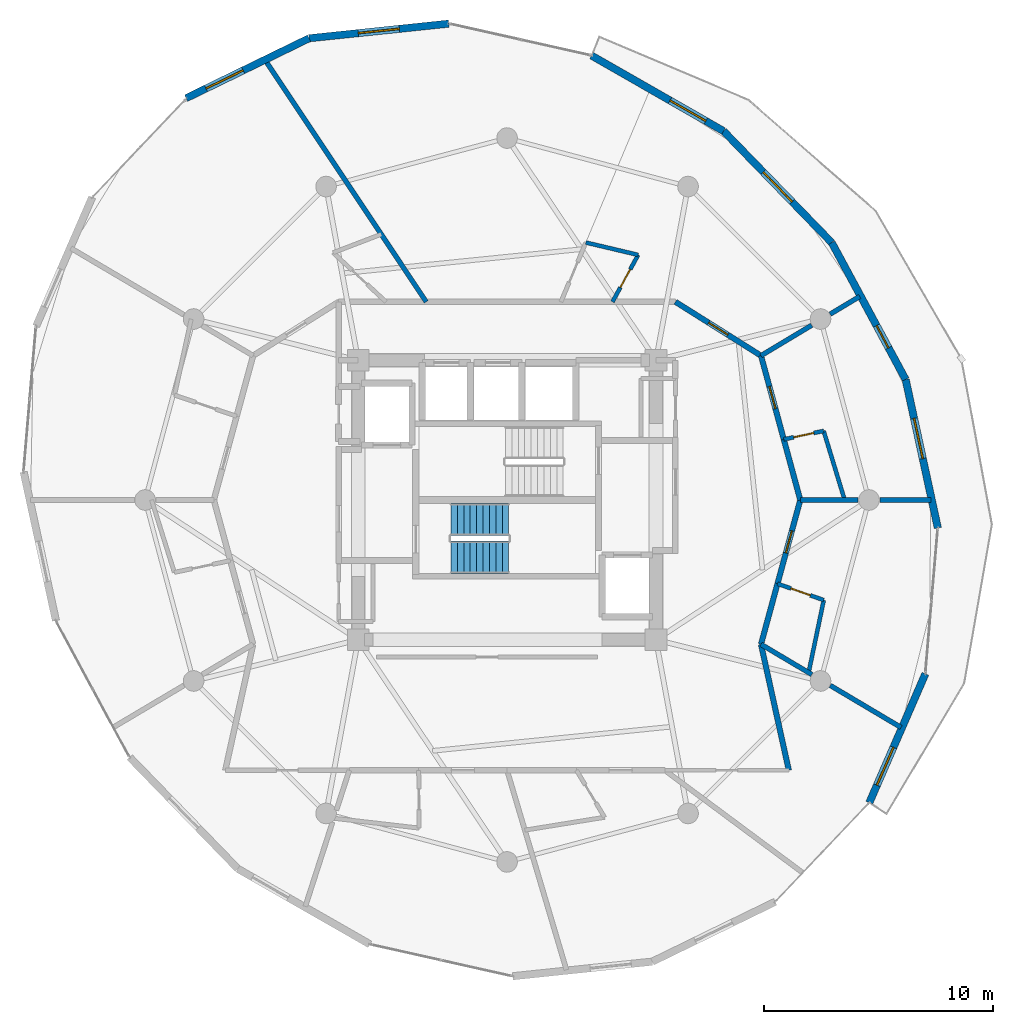
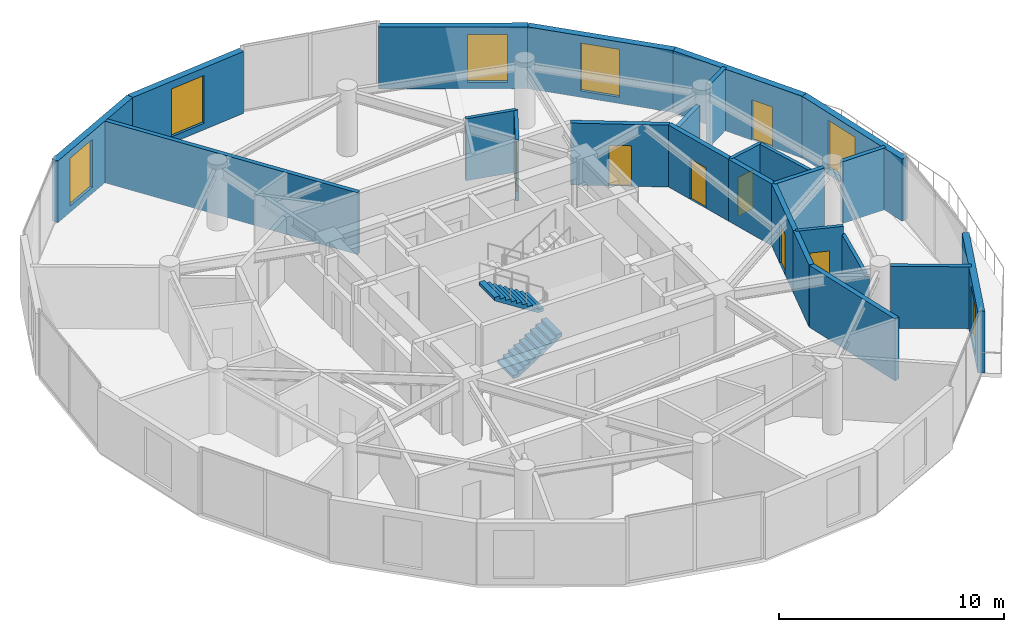
# One storey, part 20 of 23: 26 walls, 7 doors, 6 windows, 2 stair flights, 13 openings, 1 element without a shape of its own.
"""IFC4 building model written with IfcOpenShell, lengths in metres."""

from ifc_helpers import new_model, si_unit, direction, frame, frame_2d, origin, place, context, subcontext, project, spatial, polyline, rectangle, outline, extrude, material, layer, layer_set, type_object, element, fill, aggregate, save


model = new_model("IFC4")

# Units and contexts
model_context = context("Model", 3, precision=1e-05, world=origin(), true_north=direction((0.0, 1.0)))
body_context = subcontext(model_context, "Body", "Model", "MODEL_VIEW")
ifc_project = project(units=[si_unit("LENGTHUNIT", "METRE"), si_unit("AREAUNIT", "SQUARE_METRE"), si_unit("VOLUMEUNIT", "CUBIC_METRE"), si_unit("PLANEANGLEUNIT", "RADIAN"), si_unit("MASSUNIT", "GRAM", prefix="KILO")], contexts=[model_context])

# Site, building, storey
site_placement = place(None, origin())
site = spatial("IfcSite", under=ifc_project, at=site_placement, CompositionType="ELEMENT")
building_placement = place(site_placement, origin())
building = spatial("IfcBuilding", under=site, at=building_placement, Name="Solvirekh Grand Hotel", CompositionType="ELEMENT")
storey_placement = place(building_placement, frame((0.0, 0.0, 180.39990234375)))
storey = spatial("IfcBuildingStorey", under=building, at=storey_placement, Name="L46", CompositionType="ELEMENT", Elevation=180.39990234375)

# Wall, opening, window
ifc_material_1 = material(Name="Precast concrete C45/55", Category="concrete")
ifc_layer_1 = layer(ifc_material_1, 0.320068359375)
ifc_layer_set_1 = layer_set([ifc_layer_1], Name="Precast concrete C45/55")
wall_type_1 = type_object("IfcWallType", Name="ExtLobbyWall_RC320", PredefinedType="SOLIDWALL", material=ifc_layer_set_1)
wall_1_placement = place(storey_placement, frame((18.260009765625, -7.590087890625, 0.0), z_axis=(0.0, 0.0, 1.0), x_axis=(-0.398911001453, -0.916989647117, 0.0)))
wall_1 = element("IfcWall", 1, at=wall_1_placement, inside=storey, type_object=wall_type_1, Name="L46 exterior structural wall chord 2", PredefinedType="SOLIDWALL", context=body_context, shape_type="SweptSolid", body=[
    extrude(rectangle(XDim=6.1318359375, YDim=0.320068359375, at=frame_2d((3.06591796875, 0.0))), origin(), (0.0, 0.0, 1.0), 3.360107421875),
])
opening_1_placement = place(wall_1_placement, frame((3.5, 0.0, 0.35009765625)))
opening_1 = element("IfcOpeningElement", 2, at=opening_1_placement, cuts=wall_1, Name="Opening W02", PredefinedType="OPENING", context=body_context, shape_type="SweptSolid", body=[
    extrude(rectangle(XDim=1.800048828125, YDim=2.60009765625, at=frame_2d((0.89990234375, 1.300048828125))), frame((0.0, 0.169921875, 0.0), z_axis=(0.0, -1.0, 0.0), x_axis=(1.0, 0.0, 0.0)), (0.0, 0.0, 1.0), 0.340087890625),
])
ifc_material_2 = material(Name="Low-E Tinted Bronze Laminated Glass", Category="aluminium")
window_type = type_object("IfcWindowType", Name="Win_LobbyExt_1800X2600", PartitioningType="SINGLE_PANEL", PredefinedType="WINDOW", material=ifc_material_2)
window_1_placement = place(opening_1_placement, origin())
window_1 = element("IfcWindow", 3, at=window_1_placement, inside=storey, type_object=window_type, Name="L46 panoramic bronze-framed window 2", OverallHeight=2.60009765625, OverallWidth=1.800048828125, PartitioningType="SINGLE_PANEL", PredefinedType="WINDOW", context=body_context, shape_type="SweptSolid", body=[
    extrude(rectangle(XDim=1.800048828125, YDim=2.60009765625, at=frame_2d((0.89990234375, 1.300048828125))), frame((0.0, 0.030029296875, 0.0), z_axis=(0.0, -1.0, 0.0), x_axis=(1.0, 0.0, 0.0)), (0.0, 0.0, 1.0), 0.06005859375),
])
fill(opening_1, window_1)

wall_2_placement = place(storey_placement, frame((17.39794921875, 5.261962890625, 0.0), z_axis=(0.0, 0.0, 1.0), x_axis=(0.211992849193, -0.977271217161, 0.0)))
wall_2 = element("IfcWall", 4, at=wall_2_placement, inside=storey, type_object=wall_type_1, Name="L46 exterior structural wall chord 4", PredefinedType="SOLIDWALL", context=body_context, shape_type="SweptSolid", body=[
    extrude(rectangle(XDim=6.636962890625, YDim=0.320068359375, at=frame_2d((3.318359375, 0.0))), origin(), (0.0, 0.0, 1.0), 3.360107421875),
])
opening_2_placement = place(wall_2_placement, frame((1.738037109375, 0.0, 0.35009765625)))
opening_2 = element("IfcOpeningElement", 5, at=opening_2_placement, cuts=wall_2, Name="Opening W02", PredefinedType="OPENING", context=body_context, shape_type="SweptSolid", body=[
    extrude(rectangle(XDim=1.800048828125, YDim=2.60009765625, at=frame_2d((0.89990234375, 1.300048828125))), frame((0.0, 0.169921875, 0.0), z_axis=(0.0, -1.0, 0.0), x_axis=(1.0, 0.0, 0.0)), (0.0, 0.0, 1.0), 0.340087890625),
])
window_2_placement = place(opening_2_placement, origin())
window_2 = element("IfcWindow", 6, at=window_2_placement, inside=storey, type_object=window_type, Name="L46 panoramic bronze-framed window 4", OverallHeight=2.60009765625, OverallWidth=1.800048828125, PartitioningType="SINGLE_PANEL", PredefinedType="WINDOW", context=body_context, shape_type="SweptSolid", body=[
    extrude(rectangle(XDim=1.800048828125, YDim=2.60009765625, at=frame_2d((0.89990234375, 1.300048828125))), frame((0.0, 0.030029296875, 0.0), z_axis=(0.0, -1.0, 0.0), x_axis=(1.0, 0.0, 0.0)), (0.0, 0.0, 1.0), 0.06005859375),
])
fill(opening_2, window_2)

# Wall, opening, door
wall_3_placement = place(storey_placement, frame((14.174072265625, 11.23193359375, 0.0), z_axis=(0.0, 0.0, 1.0), x_axis=(0.475159501302, -0.879899680829, 0.0)))
wall_3 = element("IfcWall", 7, at=wall_3_placement, inside=storey, type_object=wall_type_1, Name="L46 exterior structural wall chord 5", PredefinedType="SOLIDWALL", context=body_context, shape_type="SweptSolid", body=[
    extrude(rectangle(XDim=6.784912109375, YDim=0.320068359375, at=frame_2d((3.392578125, 0.0))), origin(), (0.0, 0.0, 1.0), 3.360107421875),
])
opening_3_placement = place(wall_3_placement, frame((4.114013671875, 0.0, 0.0)))
opening_3 = element("IfcOpeningElement", 8, at=opening_3_placement, cuts=wall_3, Name="Opening D03", PredefinedType="OPENING", context=body_context, shape_type="SweptSolid", body=[
    extrude(rectangle(XDim=1.10009765625, YDim=2.199951171875, at=frame_2d((0.550048828125, 1.10009765625))), frame((0.0, 0.169921875, 0.0), z_axis=(0.0, -1.0, 0.0), x_axis=(1.0, 0.0, 0.0)), (0.0, 0.0, 1.0), 0.340087890625),
])
ifc_material_3 = material(Name="Anodized Bronze Aluminium 6063-T6", Category="aluminium")
door_type_1 = type_object("IfcDoorType", Name="Door_ExtBalcony_1100X2200", OperationType="NOTDEFINED", PredefinedType="DOOR", material=ifc_material_3)
door_1_placement = place(opening_3_placement, origin())
door_1 = element("IfcDoor", 9, at=door_1_placement, inside=storey, type_object=door_type_1, Name="L46 Crescent balcony glazed door (5)", OperationType="SINGLE_SWING_RIGHT", OverallHeight=2.199951171875, OverallWidth=1.10009765625, PredefinedType="DOOR", context=body_context, shape_type="SweptSolid", body=[
    extrude(rectangle(XDim=1.10009765625, YDim=2.199951171875, at=frame_2d((0.550048828125, 1.10009765625))), frame((0.0, 0.02490234375, 0.0), z_axis=(0.0, -1.0, 0.0), x_axis=(1.0, 0.0, 0.0)), (0.0, 0.0, 1.0), 0.050048828125),
])
fill(opening_3, door_1)

# Wall, opening, window
wall_4_placement = place(storey_placement, frame((9.450927734375, 16.10302734375, 0.0), z_axis=(0.0, 0.0, 1.0), x_axis=(0.696119985346, -0.71792545992, 0.0)))
wall_4 = element("IfcWall", 10, at=wall_4_placement, inside=storey, type_object=wall_type_1, Name="L46 exterior structural wall chord 6", PredefinedType="SOLIDWALL", context=body_context, shape_type="SweptSolid", body=[
    extrude(rectangle(XDim=6.784912109375, YDim=0.320068359375, at=frame_2d((3.392578125, 0.0))), origin(), (0.0, 0.0, 1.0), 3.360107421875),
])
opening_4_placement = place(wall_4_placement, frame((2.491943359375, 0.0, 0.35009765625)))
opening_4 = element("IfcOpeningElement", 11, at=opening_4_placement, cuts=wall_4, Name="Opening W02", PredefinedType="OPENING", context=body_context, shape_type="SweptSolid", body=[
    extrude(rectangle(XDim=1.800048828125, YDim=2.60009765625, at=frame_2d((0.89990234375, 1.300048828125))), frame((0.0, 0.169921875, 0.0), z_axis=(0.0, -1.0, 0.0), x_axis=(1.0, 0.0, 0.0)), (0.0, 0.0, 1.0), 0.340087890625),
])
window_3_placement = place(opening_4_placement, origin())
window_3 = element("IfcWindow", 12, at=window_3_placement, inside=storey, type_object=window_type, Name="L46 panoramic bronze-framed window 6", OverallHeight=2.60009765625, OverallWidth=1.800048828125, PartitioningType="SINGLE_PANEL", PredefinedType="WINDOW", context=body_context, shape_type="SweptSolid", body=[
    extrude(rectangle(XDim=1.800048828125, YDim=2.60009765625, at=frame_2d((0.89990234375, 1.300048828125))), frame((0.0, 0.030029296875, 0.0), z_axis=(0.0, -1.0, 0.0), x_axis=(1.0, 0.0, 0.0)), (0.0, 0.0, 1.0), 0.06005859375),
])
fill(opening_4, window_3)

wall_5_placement = place(storey_placement, frame((3.68994140625, 19.39794921875, 0.0), z_axis=(0.0, 0.0, 1.0), x_axis=(0.868052920032, -0.496471678974, 0.0)))
wall_5 = element("IfcWall", 13, at=wall_5_placement, inside=storey, type_object=wall_type_1, Name="L46 exterior structural wall chord 7", PredefinedType="SOLIDWALL", context=body_context, shape_type="SweptSolid", body=[
    extrude(rectangle(XDim=6.63671875, YDim=0.320068359375, at=frame_2d((3.318359375, 0.0))), origin(), (0.0, 0.0, 1.0), 3.360107421875),
])
opening_5_placement = place(wall_5_placement, frame((3.944091796875, 0.0, 0.35009765625)))
opening_5 = element("IfcOpeningElement", 14, at=opening_5_placement, cuts=wall_5, Name="Opening W02", PredefinedType="OPENING", context=body_context, shape_type="SweptSolid", body=[
    extrude(rectangle(XDim=1.800048828125, YDim=2.60009765625, at=frame_2d((0.89990234375, 1.300048828125))), frame((0.0, 0.169921875, 0.0), z_axis=(0.0, -1.0, 0.0), x_axis=(1.0, 0.0, 0.0)), (0.0, 0.0, 1.0), 0.340087890625),
])
window_4_placement = place(opening_5_placement, origin())
window_4 = element("IfcWindow", 15, at=window_4_placement, inside=storey, type_object=window_type, Name="L46 panoramic bronze-framed window 7", OverallHeight=2.60009765625, OverallWidth=1.800048828125, PartitioningType="SINGLE_PANEL", PredefinedType="WINDOW", context=body_context, shape_type="SweptSolid", body=[
    extrude(rectangle(XDim=1.800048828125, YDim=2.60009765625, at=frame_2d((0.89990234375, 1.300048828125))), frame((0.0, 0.030029296875, 0.0), z_axis=(0.0, -1.0, 0.0), x_axis=(1.0, 0.0, 0.0)), (0.0, 0.0, 1.0), 0.06005859375),
])
fill(opening_5, window_4)

wall_6_placement = place(storey_placement, frame((-8.64306640625, 20.155029296875, 0.0), z_axis=(0.0, 0.0, 1.0), x_axis=(0.994556170884, 0.104201837585, 0.0)))
wall_6 = element("IfcWall", 16, at=wall_6_placement, inside=storey, type_object=wall_type_1, Name="L46 exterior structural wall chord 9", PredefinedType="SOLIDWALL", context=body_context, shape_type="SweptSolid", body=[
    extrude(rectangle(XDim=6.131591796875, YDim=0.320068359375, at=frame_2d((3.06591796875, 0.0))), origin(), (0.0, 0.0, 1.0), 3.360107421875),
])
opening_6_placement = place(wall_6_placement, frame((2.166015625, 0.0, 0.35009765625)))
opening_6 = element("IfcOpeningElement", 17, at=opening_6_placement, cuts=wall_6, Name="Opening W02", PredefinedType="OPENING", context=body_context, shape_type="SweptSolid", body=[
    extrude(rectangle(XDim=1.800048828125, YDim=2.60009765625, at=frame_2d((0.89990234375, 1.300048828125))), frame((0.0, 0.169921875, 0.0), z_axis=(0.0, -1.0, 0.0), x_axis=(1.0, 0.0, 0.0)), (0.0, 0.0, 1.0), 0.340087890625),
])
window_5_placement = place(opening_6_placement, origin())
window_5 = element("IfcWindow", 18, at=window_5_placement, inside=storey, type_object=window_type, Name="L46 panoramic bronze-framed window 9", OverallHeight=2.60009765625, OverallWidth=1.800048828125, PartitioningType="SINGLE_PANEL", PredefinedType="WINDOW", context=body_context, shape_type="SweptSolid", body=[
    extrude(rectangle(XDim=1.800048828125, YDim=2.60009765625, at=frame_2d((0.89990234375, 1.300048828125))), frame((0.0, 0.030029296875, 0.0), z_axis=(0.0, -1.0, 0.0), x_axis=(1.0, 0.0, 0.0)), (0.0, 0.0, 1.0), 0.06005859375),
])
fill(opening_6, window_5)

wall_7_placement = place(storey_placement, frame((-14.008056640625, 17.5419921875, 0.0), z_axis=(0.0, 0.0, 1.0), x_axis=(0.899034471399, 0.437877858811, 0.0)))
wall_7 = element("IfcWall", 19, at=wall_7_placement, inside=storey, type_object=wall_type_1, Name="L46 exterior structural wall chord 10", PredefinedType="SOLIDWALL", context=body_context, shape_type="SweptSolid", body=[
    extrude(rectangle(XDim=5.967529296875, YDim=0.320068359375, at=frame_2d((2.98388671875, 0.0))), origin(), (0.0, 0.0, 1.0), 3.360107421875),
])
opening_7_placement = place(wall_7_placement, frame((0.966064453125, 0.0, 0.35009765625)))
opening_7 = element("IfcOpeningElement", 20, at=opening_7_placement, cuts=wall_7, Name="Opening W02", PredefinedType="OPENING", context=body_context, shape_type="SweptSolid", body=[
    extrude(rectangle(XDim=1.800048828125, YDim=2.60009765625, at=frame_2d((0.89990234375, 1.300048828125))), frame((0.0, 0.169921875, 0.0), z_axis=(0.0, -1.0, 0.0), x_axis=(1.0, 0.0, 0.0)), (0.0, 0.0, 1.0), 0.340087890625),
])
window_6_placement = place(opening_7_placement, origin())
window_6 = element("IfcWindow", 21, at=window_6_placement, inside=storey, type_object=window_type, Name="L46 panoramic bronze-framed window 10", OverallHeight=2.60009765625, OverallWidth=1.800048828125, PartitioningType="SINGLE_PANEL", PredefinedType="WINDOW", context=body_context, shape_type="SweptSolid", body=[
    extrude(rectangle(XDim=1.800048828125, YDim=2.60009765625, at=frame_2d((0.89990234375, 1.300048828125))), frame((0.0, 0.030029296875, 0.0), z_axis=(0.0, -1.0, 0.0), x_axis=(1.0, 0.0, 0.0)), (0.0, 0.0, 1.0), 0.06005859375),
])
fill(opening_7, window_6)

# Wall, opening, door
ifc_material_4 = material(Name="Acoustic Gypsum Partition Assembly")
ifc_layer_2 = layer(ifc_material_4, 0.239990234375)
ifc_layer_set_2 = layer_set([ifc_layer_2], Name="Acoustic Gypsum Partition Assembly")
wall_type_2 = type_object("IfcWallType", Name="Part_Corridor_240", PredefinedType="PARTITIONING", material=ifc_layer_set_2)
wall_8_placement = place(storey_placement, frame((7.35009765625, 8.64990234375, 0.0), z_axis=(0.0, 0.0, 1.0), x_axis=(0.846409267484, -0.532532958526, 0.0)))
wall_8 = element("IfcWall", 22, at=wall_8_placement, inside=storey, type_object=wall_type_2, Name="L46 Deluxe Guestroom 4801 entrance wall", PredefinedType="PARTITIONING", context=body_context, shape_type="SweptSolid", body=[
    extrude(rectangle(XDim=4.41259765625, YDim=0.239990234375, at=frame_2d((2.206298828125, 0.0))), origin(), (0.0, 0.0, 1.0), 3.360107421875),
])
opening_8_placement = place(wall_8_placement, frame((1.7060546875, 0.0, 0.0)))
opening_8 = element("IfcOpeningElement", 23, at=opening_8_placement, cuts=wall_8, Name="Opening D07", PredefinedType="OPENING", context=body_context, shape_type="SweptSolid", body=[
    extrude(rectangle(XDim=1.0, YDim=2.199951171875, at=frame_2d((0.5, 1.10009765625))), frame((0.0, 0.1298828125, 0.0), z_axis=(0.0, -1.0, 0.0), x_axis=(1.0, 0.0, 0.0)), (0.0, 0.0, 1.0), 0.260009765625),
])
ifc_material_5 = material(Name="Fire-Rated Steel Door Assembly", Category="steel")
door_type_2 = type_object("IfcDoorType", Name="Door_GuestEntry_1000X2200", OperationType="NOTDEFINED", PredefinedType="DOOR", material=ifc_material_5)
door_2_placement = place(opening_8_placement, origin())
door_2 = element("IfcDoor", 24, at=door_2_placement, inside=storey, type_object=door_type_2, Name="L46 Deluxe Guestroom 4801 entrance door", OperationType="SINGLE_SWING_RIGHT", OverallHeight=2.199951171875, OverallWidth=1.0, PredefinedType="DOOR", context=body_context, shape_type="SweptSolid", body=[
    extrude(rectangle(XDim=1.0, YDim=2.199951171875, at=frame_2d((0.5, 1.10009765625))), frame((0.0, 0.02490234375, 0.0), z_axis=(0.0, -1.0, 0.0), x_axis=(1.0, 0.0, 0.0)), (0.0, 0.0, 1.0), 0.050048828125),
])
fill(opening_8, door_2)

# Wall
wall_9_placement = place(storey_placement, frame((11.0849609375, -6.300048828125, 0.0), z_axis=(0.0, 0.0, 1.0), x_axis=(0.262552356383, 0.964917747872, 0.0)))
element("IfcWall", 25, at=wall_9_placement, inside=storey, type_object=wall_type_2, Name="L46 En-suite Bathroom 4805 corridor backing wall", PredefinedType="PARTITIONING", context=body_context, shape_type="SweptSolid", body=[
    extrude(rectangle(XDim=2.7421875, YDim=0.239990234375, at=frame_2d((1.37109375, 0.0))), origin(), (0.0, 0.0, 1.0), 3.360107421875),
])

# Wall, opening, door
wall_10_placement = place(storey_placement, frame((11.804931640625, -3.654052734375, 0.0), z_axis=(0.0, 0.0, 1.0), x_axis=(0.262762825819, 0.964860454868, 0.0)))
wall_10 = element("IfcWall", 26, at=wall_10_placement, inside=storey, type_object=wall_type_2, Name="L46 Deluxe Guestroom 4805 entrance wall", PredefinedType="PARTITIONING", context=body_context, shape_type="SweptSolid", body=[
    extrude(rectangle(XDim=3.787109375, YDim=0.239990234375, at=frame_2d((1.8935546875, 0.0))), origin(), (0.0, 0.0, 1.0), 3.360107421875),
])
opening_9_placement = place(wall_10_placement, frame((1.39404296875, 0.0, 0.0)))
opening_9 = element("IfcOpeningElement", 27, at=opening_9_placement, cuts=wall_10, Name="Opening D07", PredefinedType="OPENING", context=body_context, shape_type="SweptSolid", body=[
    extrude(rectangle(XDim=1.0, YDim=2.199951171875, at=frame_2d((0.5, 1.10009765625))), frame((0.0, 0.1298828125, 0.0), z_axis=(0.0, -1.0, 0.0), x_axis=(1.0, 0.0, 0.0)), (0.0, 0.0, 1.0), 0.260009765625),
])
door_3_placement = place(opening_9_placement, origin())
door_3 = element("IfcDoor", 28, at=door_3_placement, inside=storey, type_object=door_type_2, Name="L46 Deluxe Guestroom 4805 entrance door", OperationType="SINGLE_SWING_LEFT", OverallHeight=2.199951171875, OverallWidth=1.0, PredefinedType="DOOR", context=body_context, shape_type="SweptSolid", body=[
    extrude(rectangle(XDim=1.0, YDim=2.199951171875, at=frame_2d((0.5, 1.10009765625))), frame((0.0, 0.02490234375, 0.0), z_axis=(0.0, -1.0, 0.0), x_axis=(1.0, 0.0, 0.0)), (0.0, 0.0, 1.0), 0.050048828125),
])
fill(opening_9, door_3)

# Wall
wall_11_placement = place(storey_placement, frame((12.800048828125, 0.0, 0.0), z_axis=(0.0, 0.0, 1.0), x_axis=(-0.262552356383, 0.964917747872, 0.0)))
element("IfcWall", 29, at=wall_11_placement, inside=storey, type_object=wall_type_2, Name="L46 En-suite Bathroom 4806 corridor backing wall", PredefinedType="PARTITIONING", context=body_context, shape_type="SweptSolid", body=[
    extrude(rectangle(XDim=2.7421875, YDim=0.239990234375, at=frame_2d((1.37109375, 0.0))), origin(), (0.0, 0.0, 1.0), 3.360107421875),
])

# Wall, opening, door
wall_12_placement = place(storey_placement, frame((12.080078125, 2.64599609375, 0.0), z_axis=(0.0, 0.0, 1.0), x_axis=(-0.262762825819, 0.964860454868, 0.0)))
wall_12 = element("IfcWall", 30, at=wall_12_placement, inside=storey, type_object=wall_type_2, Name="L46 Deluxe Guestroom 4806 entrance wall", PredefinedType="PARTITIONING", context=body_context, shape_type="SweptSolid", body=[
    extrude(rectangle(XDim=3.787109375, YDim=0.239990234375, at=frame_2d((1.8935546875, 0.0))), origin(), (0.0, 0.0, 1.0), 3.360107421875),
])
opening_10_placement = place(wall_12_placement, frame((1.39404296875, 0.0, 0.0)))
opening_10 = element("IfcOpeningElement", 31, at=opening_10_placement, cuts=wall_12, Name="Opening D07", PredefinedType="OPENING", context=body_context, shape_type="SweptSolid", body=[
    extrude(rectangle(XDim=1.0, YDim=2.199951171875, at=frame_2d((0.5, 1.10009765625))), frame((0.0, 0.1298828125, 0.0), z_axis=(0.0, -1.0, 0.0), x_axis=(1.0, 0.0, 0.0)), (0.0, 0.0, 1.0), 0.260009765625),
])
door_4_placement = place(opening_10_placement, origin())
door_4 = element("IfcDoor", 32, at=door_4_placement, inside=storey, type_object=door_type_2, Name="L46 Deluxe Guestroom 4806 entrance door", OperationType="SINGLE_SWING_LEFT", OverallHeight=2.199951171875, OverallWidth=1.0, PredefinedType="DOOR", context=body_context, shape_type="SweptSolid", body=[
    extrude(rectangle(XDim=1.0, YDim=2.199951171875, at=frame_2d((0.5, 1.10009765625))), frame((0.0, 0.02490234375, 0.0), z_axis=(0.0, -1.0, 0.0), x_axis=(1.0, 0.0, 0.0)), (0.0, 0.0, 1.0), 0.050048828125),
])
fill(opening_10, door_4)

# Walls
wall_13_placement = place(storey_placement, frame((12.300048828125, -11.800048828125, 0.0), z_axis=(0.0, 0.0, 1.0), x_axis=(-0.21572328796, 0.976454537104, 0.0)))
element("IfcWall", 33, at=wall_13_placement, inside=storey, type_object=wall_type_2, Name="L46 L46 Butler Valet & Linen Steward Room corridor wall 1", PredefinedType="PARTITIONING", context=body_context, shape_type="SweptSolid", body=[
    extrude(rectangle(XDim=5.632568359375, YDim=0.239990234375, at=frame_2d((2.81640625, 0.0))), origin(), (0.0, 0.0, 1.0), 3.360107421875),
])
ifc_layer_3 = layer(ifc_material_4, 0.2099609375)
ifc_layer_set_3 = layer_set([ifc_layer_3], Name="Acoustic Gypsum Partition Assembly")
wall_type_3 = type_object("IfcWallType", Name="Part_SuiteDemise_210", PredefinedType="PARTITIONING", material=ifc_layer_set_3)
wall_14_placement = place(storey_placement, frame((12.800048828125, 0.0, 0.0), z_axis=(0.0, 0.0, 1.0), x_axis=(1.0, 0.0, 0.0)))
element("IfcWall", 34, at=wall_14_placement, inside=storey, type_object=wall_type_3, Name="L46 suite radial wall 1 (A)", PredefinedType="PARTITIONING", context=body_context, shape_type="SweptSolid", body=[
    extrude(rectangle(XDim=2.530029296875, YDim=0.2099609375, at=frame_2d((1.26513671875, 0.0))), origin(), (0.0, 0.0, 1.0), 3.360107421875),
])
wall_15_placement = place(storey_placement, frame((16.27001953125, 0.0, 0.0), z_axis=(0.0, 0.0, 1.0), x_axis=(1.0, 0.0, 0.0)))
element("IfcWall", 35, at=wall_15_placement, inside=storey, type_object=wall_type_3, Name="L46 suite radial wall 1 (B)", PredefinedType="PARTITIONING", context=body_context, shape_type="SweptSolid", body=[
    extrude(rectangle(XDim=2.22900390625, YDim=0.2099609375, at=frame_2d((1.114501953125, 0.0))), origin(), (0.0, 0.0, 1.0), 3.360107421875),
])
wall_16_placement = place(storey_placement, frame((11.0849609375, 6.300048828125, 0.0), z_axis=(0.0, 0.0, 1.0), x_axis=(0.857259301733, 0.514884928497, 0.0)))
element("IfcWall", 36, at=wall_16_placement, inside=storey, type_object=wall_type_3, Name="L46 suite radial wall 2 (A)", PredefinedType="PARTITIONING", context=body_context, shape_type="SweptSolid", body=[
    extrude(rectangle(XDim=2.582763671875, YDim=0.2099609375, at=frame_2d((1.29150390625, 0.0))), origin(), (0.0, 0.0, 1.0), 2.801025390625),
])
wall_17_placement = place(storey_placement, frame((14.10205078125, 8.112060546875, 0.0), z_axis=(0.0, 0.0, 1.0), x_axis=(0.85729274583, 0.514829241543, 0.0)))
element("IfcWall", 37, at=wall_17_placement, inside=storey, type_object=wall_type_3, Name="L46 suite radial wall 2 (B)", PredefinedType="PARTITIONING", context=body_context, shape_type="SweptSolid", body=[
    extrude(rectangle(XDim=1.507080078125, YDim=0.2099609375, at=frame_2d((0.75341796875, 0.0))), origin(), (0.0, 0.0, 1.0), 3.360107421875),
])
wall_18_placement = place(storey_placement, frame((11.0849609375, -6.300048828125, 0.0), z_axis=(0.0, 0.0, 1.0), x_axis=(0.859827513331, -0.510584613281, 0.0)))
element("IfcWall", 38, at=wall_18_placement, inside=storey, type_object=wall_type_3, Name="L46 suite radial wall 12 (A)", PredefinedType="PARTITIONING", context=body_context, shape_type="SweptSolid", body=[
    extrude(rectangle(XDim=2.5830078125, YDim=0.2099609375, at=frame_2d((1.29150390625, 0.0))), origin(), (0.0, 0.0, 1.0), 2.801025390625),
])
wall_19_placement = place(storey_placement, frame((14.110107421875, -8.095947265625, 0.0), z_axis=(0.0, 0.0, 1.0), x_axis=(0.859858473155, -0.510532473153, 0.0)))
element("IfcWall", 39, at=wall_19_placement, inside=storey, type_object=wall_type_3, Name="L46 suite radial wall 12 (B)", PredefinedType="PARTITIONING", context=body_context, shape_type="SweptSolid", body=[
    extrude(rectangle(XDim=3.59228515625, YDim=0.2099609375, at=frame_2d((1.796142578125, 0.0))), origin(), (0.0, 0.0, 1.0), 3.360107421875),
])
wall_20_placement = place(storey_placement, frame((-3.528076171875, 8.64990234375, 0.0), z_axis=(0.0, 0.0, 1.0), x_axis=(-0.554428653403, 0.832231258898, 0.0)))
element("IfcWall", 40, at=wall_20_placement, inside=storey, type_object=wall_type_3, Name="L46 Panorama Suite 4801 North Observatory Study dividing partition 1", PredefinedType="PARTITIONING", context=body_context, shape_type="SweptSolid", body=[
    extrude(rectangle(XDim=12.65771484375, YDim=0.2099609375, at=frame_2d((6.328857421875, 0.0))), origin(), (0.0, 0.0, 1.0), 3.360107421875),
])
ifc_layer_4 = layer(ifc_material_4, 0.175048828125)
ifc_layer_set_4 = layer_set([ifc_layer_4], Name="Acoustic Gypsum Partition Assembly")
wall_type_4 = type_object("IfcWallType", Name="Plumb_Ensuite_175", PredefinedType="PLUMBINGWALL", material=ifc_layer_set_4)
wall_21_placement = place(storey_placement, frame((3.43896484375, 11.239013671875, 0.0), z_axis=(0.0, 0.0, 1.0), x_axis=(0.973143510765, -0.230199277704, 0.0)))
element("IfcWall", 41, at=wall_21_placement, inside=storey, type_object=wall_type_4, Name="L46 En-suite Bathroom 4801 outer plumbing wall", PredefinedType="PLUMBINGWALL", context=body_context, shape_type="SweptSolid", body=[
    extrude(rectangle(XDim=2.345947265625, YDim=0.175048828125, at=frame_2d((1.1728515625, 0.0))), origin(), (0.0, 0.0, 1.0), 3.360107421875),
])

# Wall, opening, door
wall_22_placement = place(storey_placement, frame((4.60205078125, 8.64990234375, 0.0), z_axis=(0.0, 0.0, 1.0), x_axis=(0.479577167617, 0.877499709573, 0.0)))
wall_22 = element("IfcWall", 42, at=wall_22_placement, inside=storey, type_object=wall_type_4, Name="L46 En-suite Bathroom 4801 entry plumbing wall", PredefinedType="PLUMBINGWALL", context=body_context, shape_type="SweptSolid", body=[
    extrude(rectangle(XDim=2.335205078125, YDim=0.175048828125, at=frame_2d((1.16748046875, 0.0))), origin(), (0.0, 0.0, 1.0), 3.360107421875),
])
opening_11_placement = place(wall_22_placement, frame((0.718017578125, 0.0, 0.0)))
opening_11 = element("IfcOpeningElement", 43, at=opening_11_placement, cuts=wall_22, Name="Opening D09", PredefinedType="OPENING", context=body_context, shape_type="SweptSolid", body=[
    extrude(rectangle(XDim=0.89990234375, YDim=2.10009765625, at=frame_2d((0.449951171875, 1.050048828125))), frame((0.0, 0.09765625, 0.0), z_axis=(0.0, -1.0, 0.0), x_axis=(1.0, 0.0, 0.0)), (0.0, 0.0, 1.0), 0.195068359375),
])
door_type_3 = type_object("IfcDoorType", Name="Door_Ensuite_900X2100", OperationType="NOTDEFINED", PredefinedType="DOOR", material=ifc_material_3)
door_5_placement = place(opening_11_placement, origin())
door_5 = element("IfcDoor", 44, at=door_5_placement, inside=storey, type_object=door_type_3, Name="L46 En-suite Bathroom 4801 door", OperationType="SINGLE_SWING_LEFT", OverallHeight=2.10009765625, OverallWidth=0.89990234375, PredefinedType="DOOR", context=body_context, shape_type="SweptSolid", body=[
    extrude(rectangle(XDim=0.89990234375, YDim=2.10009765625, at=frame_2d((0.449951171875, 1.050048828125))), frame((0.0, 0.02490234375, 0.0), z_axis=(0.0, -1.0, 0.0), x_axis=(1.0, 0.0, 0.0)), (0.0, 0.0, 1.0), 0.050048828125),
])
fill(opening_11, door_5)

# Wall
wall_23_placement = place(storey_placement, frame((13.1640625, -7.533935546875, 0.0), z_axis=(0.0, 0.0, 1.0), x_axis=(0.204476064812, 0.978871564057, 0.0)))
element("IfcWall", 45, at=wall_23_placement, inside=storey, type_object=wall_type_4, Name="L46 En-suite Bathroom 4805 outer plumbing wall", PredefinedType="PLUMBINGWALL", context=body_context, shape_type="SweptSolid", body=[
    extrude(rectangle(XDim=3.232177734375, YDim=0.175048828125, at=frame_2d((1.6162109375, 0.0))), origin(), (0.0, 0.0, 1.0), 2.92919921875),
])

# Wall, opening, door
wall_24_placement = place(storey_placement, frame((11.804931640625, -3.654052734375, 0.0), z_axis=(0.0, 0.0, 1.0), x_axis=(0.942533085892, -0.334112828248, 0.0)))
wall_24 = element("IfcWall", 46, at=wall_24_placement, inside=storey, type_object=wall_type_4, Name="L46 En-suite Bathroom 4805 entry plumbing wall", PredefinedType="PLUMBINGWALL", context=body_context, shape_type="SweptSolid", body=[
    extrude(rectangle(XDim=2.14306640625, YDim=0.175048828125, at=frame_2d((1.071533203125, 0.0))), origin(), (0.0, 0.0, 1.0), 3.360107421875),
])
opening_12_placement = place(wall_24_placement, frame((0.6220703125, 0.0, 0.0)))
opening_12 = element("IfcOpeningElement", 47, at=opening_12_placement, cuts=wall_24, Name="Opening D09", PredefinedType="OPENING", context=body_context, shape_type="SweptSolid", body=[
    extrude(rectangle(XDim=0.89990234375, YDim=2.10009765625, at=frame_2d((0.449951171875, 1.050048828125))), frame((0.0, 0.09765625, 0.0), z_axis=(0.0, -1.0, 0.0), x_axis=(1.0, 0.0, 0.0)), (0.0, 0.0, 1.0), 0.195068359375),
])
door_6_placement = place(opening_12_placement, origin())
door_6 = element("IfcDoor", 48, at=door_6_placement, inside=storey, type_object=door_type_3, Name="L46 En-suite Bathroom 4805 door", OperationType="SINGLE_SWING_RIGHT", OverallHeight=2.10009765625, OverallWidth=0.89990234375, PredefinedType="DOOR", context=body_context, shape_type="SweptSolid", body=[
    extrude(rectangle(XDim=0.89990234375, YDim=2.10009765625, at=frame_2d((0.449951171875, 1.050048828125))), frame((0.0, 0.02490234375, 0.0), z_axis=(0.0, -1.0, 0.0), x_axis=(1.0, 0.0, 0.0)), (0.0, 0.0, 1.0), 0.050048828125),
])
fill(opening_12, door_6)

# Wall
wall_25_placement = place(storey_placement, frame((14.738037109375, 0.0, 0.0), z_axis=(0.0, 0.0, 1.0), x_axis=(-0.291451232832, 0.956585688206, 0.0)))
element("IfcWall", 49, at=wall_25_placement, inside=storey, type_object=wall_type_4, Name="L46 En-suite Bathroom 4806 outer plumbing wall", PredefinedType="PLUMBINGWALL", context=body_context, shape_type="SweptSolid", body=[
    extrude(rectangle(XDim=3.153076171875, YDim=0.175048828125, at=frame_2d((1.57666015625, 0.0))), origin(), (0.0, 0.0, 1.0), 3.360107421875),
])

# Wall, opening, door
wall_26_placement = place(storey_placement, frame((12.080078125, 2.64599609375, 0.0), z_axis=(0.0, 0.0, 1.0), x_axis=(0.978092843795, 0.208169135363, 0.0)))
wall_26 = element("IfcWall", 50, at=wall_26_placement, inside=storey, type_object=wall_type_4, Name="L46 En-suite Bathroom 4806 entry plumbing wall", PredefinedType="PLUMBINGWALL", context=body_context, shape_type="SweptSolid", body=[
    extrude(rectangle(XDim=1.778076171875, YDim=0.175048828125, at=frame_2d((0.88916015625, 0.0))), origin(), (0.0, 0.0, 1.0), 3.360107421875),
])
opening_13_placement = place(wall_26_placement, frame((0.43896484375, 0.0, 0.0)))
opening_13 = element("IfcOpeningElement", 51, at=opening_13_placement, cuts=wall_26, Name="Opening D09", PredefinedType="OPENING", context=body_context, shape_type="SweptSolid", body=[
    extrude(rectangle(XDim=0.89990234375, YDim=2.10009765625, at=frame_2d((0.449951171875, 1.050048828125))), frame((0.0, 0.09765625, 0.0), z_axis=(0.0, -1.0, 0.0), x_axis=(1.0, 0.0, 0.0)), (0.0, 0.0, 1.0), 0.195068359375),
])
door_7_placement = place(opening_13_placement, origin())
door_7 = element("IfcDoor", 52, at=door_7_placement, inside=storey, type_object=door_type_3, Name="L46 En-suite Bathroom 4806 door", OperationType="SINGLE_SWING_RIGHT", OverallHeight=2.10009765625, OverallWidth=0.89990234375, PredefinedType="DOOR", context=body_context, shape_type="SweptSolid", body=[
    extrude(rectangle(XDim=0.89990234375, YDim=2.10009765625, at=frame_2d((0.449951171875, 1.050048828125))), frame((0.0, 0.02490234375, 0.0), z_axis=(0.0, -1.0, 0.0), x_axis=(1.0, 0.0, 0.0)), (0.0, 0.0, 1.0), 0.050048828125),
])
fill(opening_13, door_7)

# Stair, stair flights
ifc_material_6 = material(Name="Concrete C40/50", Category="concrete")
stair_type = type_object("IfcStairType", Name="Stair_Core_1450", PredefinedType="HALF_TURN_STAIR", material=ifc_material_6)
stair_placement = place(storey_placement, origin())
stair = element("IfcStair", 53, at=stair_placement, inside=storey, type_object=stair_type, Name="L46 Enclosed exit stair ST-1", PredefinedType="HALF_TURN_STAIR")
stair_flight_type = type_object("IfcStairFlightType", Name="Flight_Core_1450", PredefinedType="STRAIGHT", material=ifc_material_6)
stair_flight_1_placement = place(storey_placement, frame((-2.449951171875, -2.5, 0.0), z_axis=(0.0, 0.0, 1.0), x_axis=(1.0, 0.0, 0.0)))
stair_flight_1 = element("IfcStairFlight", 54, at=stair_flight_1_placement, type_object=stair_flight_type, Name="ST-1 flight 1", NumberOfRisers=10, NumberOfTreads=9, PredefinedType="STRAIGHT", RiserHeight=0.18, TreadLength=0.28, context=body_context, shape_type="SweptSolid", body=[
    extrude(outline(polyline([(0.0, 0.0), (0.0, 0.179931640625), (0.280029296875, 0.179931640625), (0.280029296875, 0.360107421875), (0.56005859375, 0.360107421875), (0.56005859375, 0.5400390625), (0.840087890625, 0.5400390625), (0.840087890625, 0.719970703125), (1.1201171875, 0.719970703125), (1.1201171875, 0.89990234375), (1.39990234375, 0.89990234375), (1.39990234375, 1.080078125), (1.679931640625, 1.080078125), (1.679931640625, 1.260009765625), (1.9599609375, 1.260009765625), (1.9599609375, 1.43994140625), (2.239990234375, 1.43994140625), (2.239990234375, 1.6201171875), (2.52001953125, 1.6201171875), (2.52001953125, 1.800048828125), (2.52001953125, 1.44189453125), (0.277099609375, 0.0), (0.0, 0.0)])), frame((0.0, 0.699951171875, 0.0), z_axis=(0.0, -1.0, 0.0), x_axis=(1.0, 0.0, 0.0)), (0.0, 0.0, 1.0), 1.39990234375),
])
stair_flight_2_placement = place(storey_placement, frame((0.070068359375, -0.85009765625, 1.800048828125), z_axis=(0.0, 0.0, 1.0), x_axis=(-1.0, 0.0, 0.0)))
stair_flight_2 = element("IfcStairFlight", 55, at=stair_flight_2_placement, type_object=stair_flight_type, Name="ST-1 flight 2", NumberOfRisers=10, NumberOfTreads=9, PredefinedType="STRAIGHT", RiserHeight=0.18, TreadLength=0.28, context=body_context, shape_type="SweptSolid", body=[
    extrude(outline(polyline([(0.0, 0.0), (0.0, 0.179931640625), (0.280029296875, 0.179931640625), (0.280029296875, 0.360107421875), (0.56005859375, 0.360107421875), (0.56005859375, 0.5400390625), (0.840087890625, 0.5400390625), (0.840087890625, 0.719970703125), (1.1201171875, 0.719970703125), (1.1201171875, 0.89990234375), (1.39990234375, 0.89990234375), (1.39990234375, 1.080078125), (1.679931640625, 1.080078125), (1.679931640625, 1.260009765625), (1.9599609375, 1.260009765625), (1.9599609375, 1.43994140625), (2.239990234375, 1.43994140625), (2.239990234375, 1.6201171875), (2.52001953125, 1.6201171875), (2.52001953125, 1.800048828125), (2.52001953125, 1.44189453125), (0.277099609375, 0.0), (0.0, 0.0)])), frame((0.0, 0.699951171875, 0.0), z_axis=(0.0, -1.0, 0.0), x_axis=(1.0, 0.0, 0.0)), (0.0, 0.0, 1.0), 1.39990234375),
])
aggregate(stair, [stair_flight_1, stair_flight_2])

save(model, "model.ifc")
